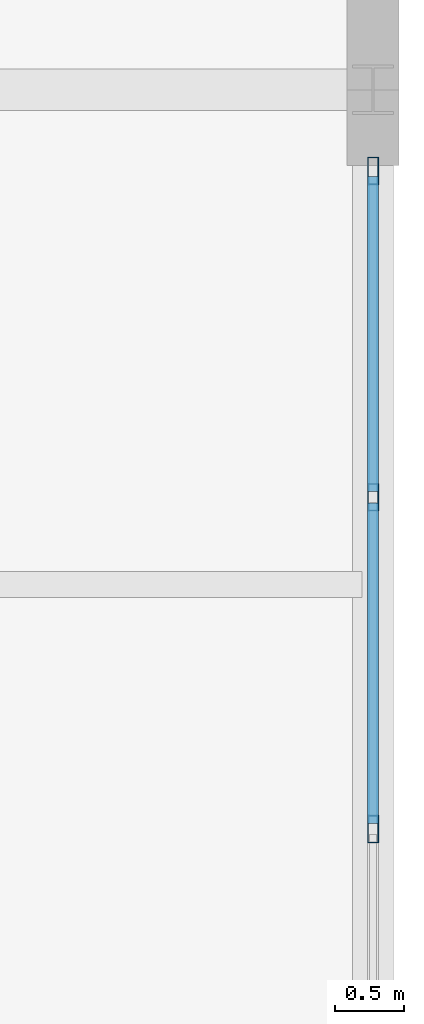
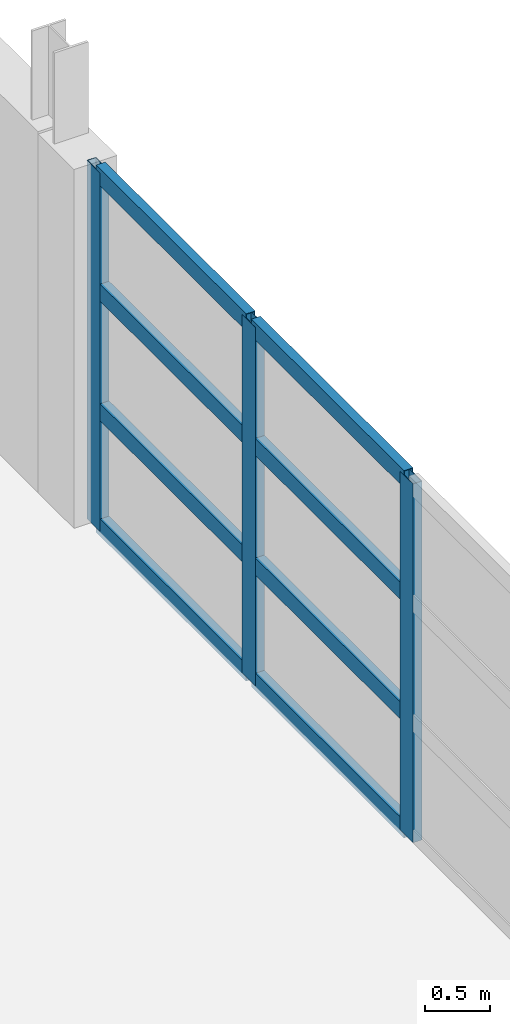
# One storey, part 104 of 147: 11 members, 1 element without a shape of its own.
"""IFC4 building model written with IfcOpenShell, lengths in metres."""

from ifc_helpers import new_model, si_unit, direction, frame, origin, origin_2d, place, context, subcontext, project, spatial, hollow_rectangle, extrude, material, layer, layer_set, material_profile, profile_set, type_object, element, aggregate, save


model = new_model("IFC4")

# Units and contexts
model_context = context("Model", 3, precision=1e-05, world=origin(), true_north=direction((0.0, 1.0)))
body_context = subcontext(model_context, "Body", "Model", "MODEL_VIEW")
ifc_project = project(units=[si_unit("LENGTHUNIT", "METRE"), si_unit("AREAUNIT", "SQUARE_METRE"), si_unit("VOLUMEUNIT", "CUBIC_METRE"), si_unit("PLANEANGLEUNIT", "RADIAN"), si_unit("MASSUNIT", "GRAM", prefix="KILO")], contexts=[model_context])

# Site, building, storey
site_placement = place(None, origin())
site = spatial("IfcSite", under=ifc_project, at=site_placement, CompositionType="ELEMENT")
building_placement = place(site_placement, origin())
building = spatial("IfcBuilding", under=site, at=building_placement, Name="Zilviju Railside Exhibition Hall", CompositionType="ELEMENT")
storey_placement = place(building_placement, frame((0.0, 0.0, 8.39990234375)))
storey = spatial("IfcBuildingStorey", under=building, at=storey_placement, Name="L03", CompositionType="ELEMENT", Elevation=8.39990234375)

# Curtain wall, members
ifc_material_1 = material(Name="Thermally broken aluminium-steel triple-glazed curtain wall", Category="steel")
ifc_layer = layer(ifc_material_1, 0.179931640625)
ifc_layer_set = layer_set([ifc_layer], Name="Thermally broken aluminium-steel triple-glazed curtain wall")
curtain_wall_type = type_object("IfcCurtainWallType", Name="CW-BAY-08", PredefinedType="USERDEFINED", material=ifc_layer_set)
curtain_wall_placement = place(storey_placement, origin())
curtain_wall = element("IfcCurtainWall", 1, at=curtain_wall_placement, inside=storey, type_object=curtain_wall_type, Name="North Hall East Glazed Gable L03 (84..102)", ObjectType="GLAZED CURTAIN WALL", PredefinedType="USERDEFINED")
ifc_material_2 = material(Name="Thermally broken anodized aluminium mullion", Category="aluminium")
ifc_material_profile_1 = material_profile(ifc_material_2, hollow_rectangle(XDim=0.080078125, YDim=0.199951171875, WallThickness=0.0048828125, at=origin_2d()), Name="MULLION 200x80x5")
ifc_profile_set_1 = profile_set([ifc_material_profile_1], Name="Thermally broken anodized aluminium mullion")
member_type_1 = type_object("IfcMemberType", Name="CWM-80x200", PredefinedType="MULLION", material=ifc_profile_set_1)
member_1_placement = place(storey_placement, frame((216.0, 101.409912109375, 0.0), z_axis=(0.0, 0.0, 1.0), x_axis=(1.0, 0.0, 0.0)))
member_1 = element("IfcMember", 2, at=member_1_placement, type_object=member_type_1, Name="CW-08 mullion 1", PredefinedType="MULLION", context=body_context, shape_type="SweptSolid", body=[
    extrude(hollow_rectangle(XDim=0.080078125, YDim=0.199951171875, WallThickness=0.0048828125, at=origin_2d()), origin(), (0.0, 0.0, 1.0), 3.35009765625),
])
member_2_placement = place(storey_placement, frame((216.0, 99.03564453125, 0.0), z_axis=(0.0, 0.0, 1.0), x_axis=(1.0, 0.0, 0.0)))
member_2 = element("IfcMember", 3, at=member_2_placement, type_object=member_type_1, Name="CW-08 mullion 2", PredefinedType="MULLION", context=body_context, shape_type="SweptSolid", body=[
    extrude(hollow_rectangle(XDim=0.080078125, YDim=0.199951171875, WallThickness=0.0048828125, at=origin_2d()), origin(), (0.0, 0.0, 1.0), 3.35009765625),
])
member_3_placement = place(storey_placement, frame((216.0, 96.621337890625, 0.0), z_axis=(0.0, 0.0, 1.0), x_axis=(1.0, 0.0, 0.0)))
member_3 = element("IfcMember", 4, at=member_3_placement, type_object=member_type_1, Name="CW-08 mullion 3", PredefinedType="MULLION", context=body_context, shape_type="SweptSolid", body=[
    extrude(hollow_rectangle(XDim=0.080078125, YDim=0.199951171875, WallThickness=0.0048828125, at=origin_2d()), origin(), (0.0, 0.0, 1.0), 3.35009765625),
])
ifc_material_3 = material(Name="Thermally broken anodized aluminium transom", Category="aluminium")
ifc_material_profile_2 = material_profile(ifc_material_3, hollow_rectangle(XDim=0.080078125, YDim=0.159912109375, WallThickness=0.0048828125, at=origin_2d()), Name="TRANSOM 160x80x5")
ifc_profile_set_2 = profile_set([ifc_material_profile_2], Name="Thermally broken anodized aluminium transom")
member_type_2 = type_object("IfcMemberType", Name="CWT-80x160", PredefinedType="USERDEFINED", material=ifc_profile_set_2)
member_4_placement = place(storey_placement, frame((216.0, 101.3701171875, 0.0400390625), z_axis=(0.0, -1.0, 0.0), x_axis=(1.0, 0.0, 0.0)))
member_4 = element("IfcMember", 5, at=member_4_placement, type_object=member_type_2, Name="CW-08 transom 1.1", ObjectType="TRANSOM", PredefinedType="USERDEFINED", context=body_context, shape_type="SweptSolid", body=[
    extrude(hollow_rectangle(XDim=0.080078125, YDim=0.159912109375, WallThickness=0.0048828125, at=origin_2d()), origin(), (0.0, 0.0, 1.0), 2.29443359375),
])
member_5_placement = place(storey_placement, frame((216.0, 101.3701171875, 1.1171875), z_axis=(0.0, -1.0, 0.0), x_axis=(1.0, 0.0, 0.0)))
member_5 = element("IfcMember", 6, at=member_5_placement, type_object=member_type_2, Name="CW-08 transom 1.2", ObjectType="TRANSOM", PredefinedType="USERDEFINED", context=body_context, shape_type="SweptSolid", body=[
    extrude(hollow_rectangle(XDim=0.080078125, YDim=0.159912109375, WallThickness=0.0048828125, at=origin_2d()), origin(), (0.0, 0.0, 1.0), 2.29443359375),
])
member_6_placement = place(storey_placement, frame((216.0, 101.3701171875, 2.233154296875), z_axis=(0.0, -1.0, 0.0), x_axis=(1.0, 0.0, 0.0)))
member_6 = element("IfcMember", 7, at=member_6_placement, type_object=member_type_2, Name="CW-08 transom 1.3", ObjectType="TRANSOM", PredefinedType="USERDEFINED", context=body_context, shape_type="SweptSolid", body=[
    extrude(hollow_rectangle(XDim=0.080078125, YDim=0.159912109375, WallThickness=0.0048828125, at=origin_2d()), origin(), (0.0, 0.0, 1.0), 2.29443359375),
])
member_7_placement = place(storey_placement, frame((216.0, 101.3701171875, 3.31005859375), z_axis=(0.0, -1.0, 0.0), x_axis=(1.0, 0.0, 0.0)))
member_7 = element("IfcMember", 8, at=member_7_placement, type_object=member_type_2, Name="CW-08 transom 1.4", ObjectType="TRANSOM", PredefinedType="USERDEFINED", context=body_context, shape_type="SweptSolid", body=[
    extrude(hollow_rectangle(XDim=0.080078125, YDim=0.159912109375, WallThickness=0.0048828125, at=origin_2d()), origin(), (0.0, 0.0, 1.0), 2.29443359375),
])
member_8_placement = place(storey_placement, frame((216.0, 98.99560546875, 0.0400390625), z_axis=(0.0, -1.0, 0.0), x_axis=(1.0, 0.0, 0.0)))
member_8 = element("IfcMember", 9, at=member_8_placement, type_object=member_type_2, Name="CW-08 transom 2.1", ObjectType="TRANSOM", PredefinedType="USERDEFINED", context=body_context, shape_type="SweptSolid", body=[
    extrude(hollow_rectangle(XDim=0.080078125, YDim=0.159912109375, WallThickness=0.0048828125, at=origin_2d()), origin(), (0.0, 0.0, 1.0), 2.334228515625),
])
member_9_placement = place(storey_placement, frame((216.0, 98.99560546875, 1.1171875), z_axis=(0.0, -1.0, 0.0), x_axis=(1.0, 0.0, 0.0)))
member_9 = element("IfcMember", 10, at=member_9_placement, type_object=member_type_2, Name="CW-08 transom 2.2", ObjectType="TRANSOM", PredefinedType="USERDEFINED", context=body_context, shape_type="SweptSolid", body=[
    extrude(hollow_rectangle(XDim=0.080078125, YDim=0.159912109375, WallThickness=0.0048828125, at=origin_2d()), origin(), (0.0, 0.0, 1.0), 2.334228515625),
])
member_10_placement = place(storey_placement, frame((216.0, 98.99560546875, 2.233154296875), z_axis=(0.0, -1.0, 0.0), x_axis=(1.0, 0.0, 0.0)))
member_10 = element("IfcMember", 11, at=member_10_placement, type_object=member_type_2, Name="CW-08 transom 2.3", ObjectType="TRANSOM", PredefinedType="USERDEFINED", context=body_context, shape_type="SweptSolid", body=[
    extrude(hollow_rectangle(XDim=0.080078125, YDim=0.159912109375, WallThickness=0.0048828125, at=origin_2d()), origin(), (0.0, 0.0, 1.0), 2.334228515625),
])
member_11_placement = place(storey_placement, frame((216.0, 98.99560546875, 3.31005859375), z_axis=(0.0, -1.0, 0.0), x_axis=(1.0, 0.0, 0.0)))
member_11 = element("IfcMember", 12, at=member_11_placement, type_object=member_type_2, Name="CW-08 transom 2.4", ObjectType="TRANSOM", PredefinedType="USERDEFINED", context=body_context, shape_type="SweptSolid", body=[
    extrude(hollow_rectangle(XDim=0.080078125, YDim=0.159912109375, WallThickness=0.0048828125, at=origin_2d()), origin(), (0.0, 0.0, 1.0), 2.334228515625),
])
aggregate(curtain_wall, [member_1, member_2, member_3, member_4, member_5, member_6, member_7, member_8, member_9, member_10, member_11])

save(model, "model.ifc")
